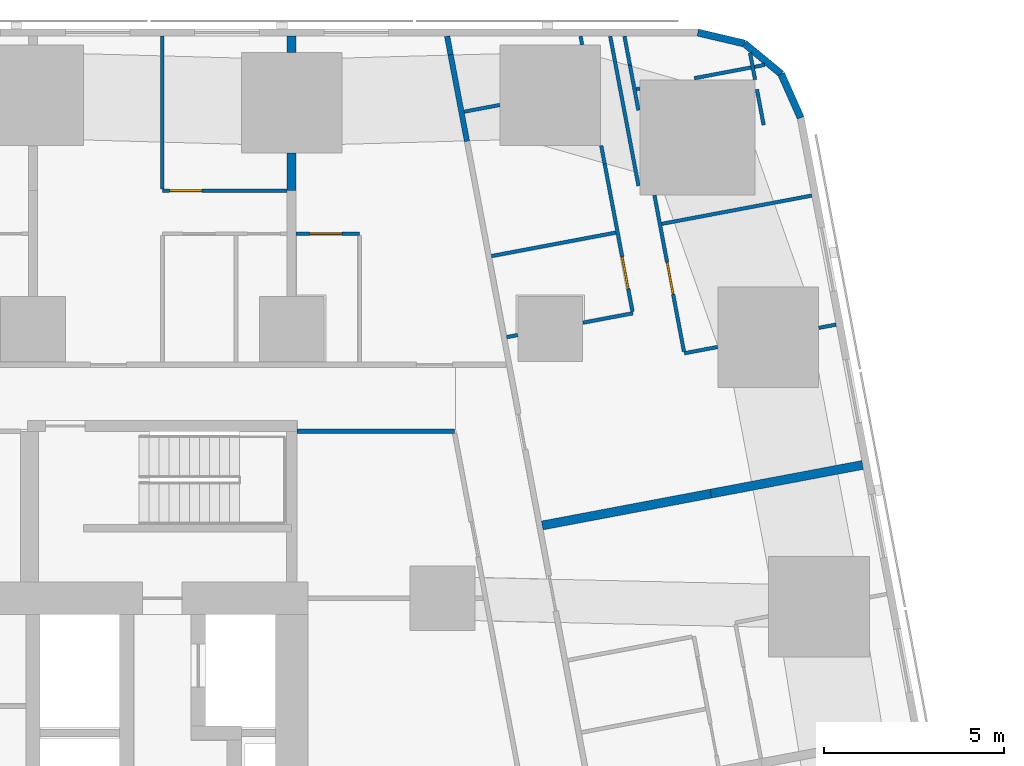
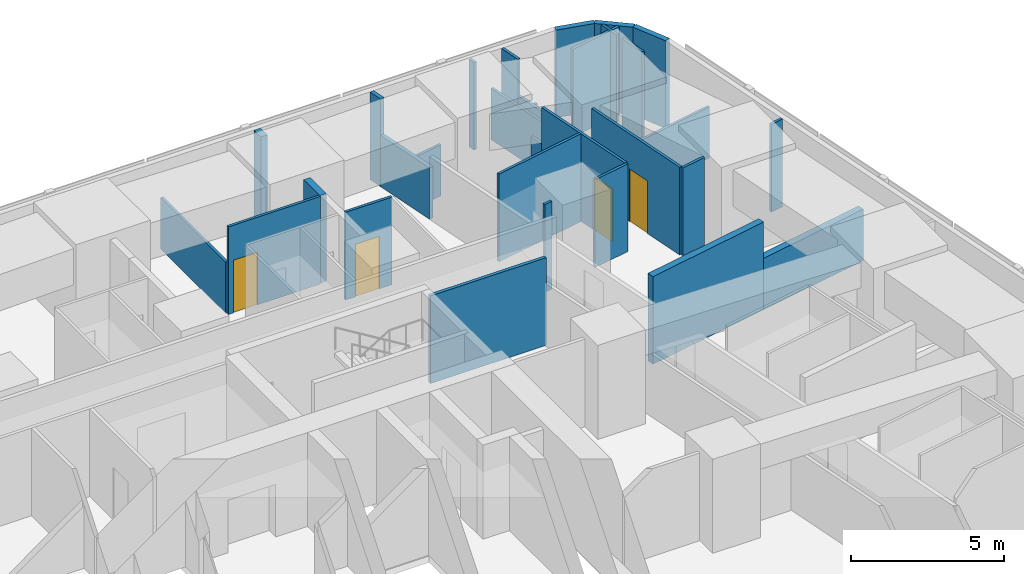
# One storey, part 10 of 15: 31 walls, 4 doors, 4 openings.
"""IFC4 building model written with IfcOpenShell, lengths in metres."""

from ifc_helpers import new_model, si_unit, direction, frame, frame_2d, origin, place, context, subcontext, project, spatial, rectangle, extrude, material, layer, layer_set, type_object, element, fill, save


model = new_model("IFC4")

# Units and contexts
model_context = context("Model", 3, precision=1e-05, world=origin(), true_north=direction((0.0, 1.0)))
body_context = subcontext(model_context, "Body", "Model", "MODEL_VIEW")
ifc_project = project(units=[si_unit("LENGTHUNIT", "METRE"), si_unit("AREAUNIT", "SQUARE_METRE"), si_unit("VOLUMEUNIT", "CUBIC_METRE"), si_unit("PLANEANGLEUNIT", "RADIAN"), si_unit("MASSUNIT", "GRAM", prefix="KILO")], contexts=[model_context])

# Site, building, storey
site_placement = place(None, origin())
site = spatial("IfcSite", under=ifc_project, at=site_placement, CompositionType="ELEMENT")
building_placement = place(site_placement, origin())
building = spatial("IfcBuilding", under=site, at=building_placement, Name="Sheger Commons Tower", CompositionType="ELEMENT")
storey_placement = place(building_placement, frame((0.0, 0.0, 42.5)))
storey = spatial("IfcBuildingStorey", under=building, at=storey_placement, Name="L10", CompositionType="ELEMENT", Elevation=42.5)

# Walls
ifc_material_1 = material(Name="Hollow concrete block masonry, skimmed both sides", Category="masonry")
ifc_layer_1 = layer(ifc_material_1, 0.14990234375)
ifc_layer_set_1 = layer_set([ifc_layer_1], Name="CORRIDOR WALL 150")
wall_type_1 = type_object("IfcWallType", Name="CORRIDOR WALL 150", PredefinedType="SOLIDWALL", material=ifc_layer_set_1)
wall_1_placement = place(storey_placement, frame((33.126953125, 45.64990234375, 0.0), z_axis=(0.0, 0.0, 1.0), x_axis=(0.185441815104, -0.982655246366, 0.0)))
element("IfcWall", 1, at=wall_1_placement, inside=storey, type_object=wall_type_1, Name="Corridor wall L10", PredefinedType="SOLIDWALL", context=body_context, shape_type="SweptSolid", body=[
    extrude(rectangle(XDim=0.52392578125, YDim=0.14990234375, at=frame_2d((0.261962890625, 0.0))), origin(), (0.0, 0.0, 1.0), 3.5),
])
wall_2_placement = place(storey_placement, frame((33.22412109375, 45.135009765625, 0.0), z_axis=(0.0, 0.0, 1.0), x_axis=(0.185681462868, -0.982609990967, 0.0)))
element("IfcWall", 2, at=wall_2_placement, inside=storey, type_object=wall_type_1, Name="Corridor wall L10", PredefinedType="SOLIDWALL", context=body_context, shape_type="SweptSolid", body=[
    extrude(rectangle(XDim=2.454833984375, YDim=0.14990234375, at=frame_2d((1.2275390625, 0.0))), origin(), (0.0, 0.0, 1.0), 2.050048828125),
])
ifc_material_2 = material(Name="Dense concrete block masonry, plastered both sides (separating wall between flats)", Category="masonry")
ifc_layer_2 = layer(ifc_material_2, 0.25)
ifc_layer_set_2 = layer_set([ifc_layer_2], Name="DEMISING WALL 250")
wall_type_2 = type_object("IfcWallType", Name="DEMISING WALL 250", PredefinedType="SOLIDWALL", material=ifc_layer_set_2)
wall_3_placement = place(storey_placement, frame((44.693115234375, 33.712890625, 0.0), z_axis=(0.0, 0.0, 1.0), x_axis=(-0.982633535512, -0.185556823879, 0.0)))
element("IfcWall", 3, at=wall_3_placement, inside=storey, type_object=wall_type_2, Name="Demising wall L10", PredefinedType="SOLIDWALL", context=body_context, shape_type="SweptSolid", body=[
    extrude(rectangle(XDim=4.2998046875, YDim=0.25, at=frame_2d((2.14990234375, 0.0))), origin(), (0.0, 0.0, 1.0), 2.050048828125),
])
wall_4_placement = place(storey_placement, frame((40.468017578125, 32.9150390625, 0.0), z_axis=(0.0, 0.0, 1.0), x_axis=(-0.982635807605, -0.185544791394, 0.0)))
element("IfcWall", 4, at=wall_4_placement, inside=storey, type_object=wall_type_2, Name="Demising wall L10", PredefinedType="SOLIDWALL", context=body_context, shape_type="SweptSolid", body=[
    extrude(rectangle(XDim=4.775146484375, YDim=0.25, at=frame_2d((2.3876953125, 0.0))), origin(), (0.0, 0.0, 1.0), 3.5),
])
wall_5_placement = place(storey_placement, frame((28.800048828125, 41.35009765625, 0.0), z_axis=(0.0, 0.0, 1.0), x_axis=(0.0, 1.0, 0.0)))
element("IfcWall", 5, at=wall_5_placement, inside=storey, type_object=wall_type_2, Name="Demising wall L10", PredefinedType="SOLIDWALL", context=body_context, shape_type="SweptSolid", body=[
    extrude(rectangle(XDim=1.048828125, YDim=0.25, at=frame_2d((0.5244140625, 0.0))), origin(), (0.0, 0.0, 1.0), 3.5),
])
wall_6_placement = place(storey_placement, frame((28.800048828125, 45.200927734375, 0.0), z_axis=(0.0, 0.0, 1.0), x_axis=(0.0, 1.0, 0.0)))
element("IfcWall", 6, at=wall_6_placement, inside=storey, type_object=wall_type_2, Name="Demising wall L10", PredefinedType="SOLIDWALL", context=body_context, shape_type="SweptSolid", body=[
    extrude(rectangle(XDim=0.448974609375, YDim=0.25, at=frame_2d((0.224609375, 0.0))), origin(), (0.0, 0.0, 1.0), 3.5),
])
ifc_material_3 = material(Name="Rendered concrete block masonry, dark grey", Category="masonry")
ifc_layer_3 = layer(ifc_material_3, 0.199951171875)
ifc_layer_set_3 = layer_set([ifc_layer_3], Name="FACADE WALL 200")
wall_type_3 = type_object("IfcWallType", Name="FACADE WALL 200", PredefinedType="SOLIDWALL", material=ifc_layer_set_3)
wall_7_placement = place(storey_placement, frame((42.969970703125, 43.376953125, 0.0), z_axis=(0.0, 0.0, 1.0), x_axis=(-0.406002956633, 0.913871762998, 0.0)))
element("IfcWall", 7, at=wall_7_placement, inside=storey, type_object=wall_type_3, Name="Facade wall L10", PredefinedType="SOLIDWALL", context=body_context, shape_type="SweptSolid", body=[
    extrude(rectangle(XDim=1.33740234375, YDim=0.199951171875, at=frame_2d((0.668701171875, 0.0))), origin(), (0.0, 0.0, 1.0), 3.5),
])
wall_8_placement = place(storey_placement, frame((42.427001953125, 44.59912109375, 0.0), z_axis=(0.0, 0.0, 1.0), x_axis=(-0.770091412544, 0.637933551655, 0.0)))
element("IfcWall", 8, at=wall_8_placement, inside=storey, type_object=wall_type_3, Name="Facade wall L10", PredefinedType="SOLIDWALL", context=body_context, shape_type="SweptSolid", body=[
    extrude(rectangle(XDim=1.324462890625, YDim=0.199951171875, at=frame_2d((0.662109375, 0.0))), origin(), (0.0, 0.0, 1.0), 3.5),
])
wall_9_placement = place(storey_placement, frame((41.406982421875, 45.444091796875, 0.0), z_axis=(0.0, 0.0, 1.0), x_axis=(-0.973453091607, 0.228886606077, 0.0)))
element("IfcWall", 9, at=wall_9_placement, inside=storey, type_object=wall_type_3, Name="Facade wall L10", PredefinedType="SOLIDWALL", context=body_context, shape_type="SweptSolid", body=[
    extrude(rectangle(XDim=1.33642578125, YDim=0.199951171875, at=frame_2d((0.668212890625, 0.0))), origin(), (0.0, 0.0, 1.0), 3.5),
])
ifc_material_4 = material(Name="Gypsum board on steel studs", Category="steel")
ifc_layer_4 = layer(ifc_material_4, 0.10009765625)
ifc_layer_set_4 = layer_set([ifc_layer_4], Name="PARTITION 100")
wall_type_4 = type_object("IfcWallType", Name="PARTITION 100", PredefinedType="PARTITIONING", material=ifc_layer_set_4)
wall_10_placement = place(storey_placement, frame((38.4541015625, 41.48291015625, 0.0), z_axis=(0.0, 0.0, 1.0), x_axis=(-0.185609245326, 0.982623634994, 0.0)))
element("IfcWall", 10, at=wall_10_placement, inside=storey, type_object=wall_type_4, Name="Partition L10", PredefinedType="PARTITIONING", context=body_context, shape_type="SweptSolid", body=[
    extrude(rectangle(XDim=4.24072265625, YDim=0.10009765625, at=frame_2d((2.120361328125, 0.0))), origin(), (0.0, 0.0, 1.0), 2.050048828125),
])
wall_11_placement = place(storey_placement, frame((41.55908203125, 45.18798828125, 0.0), z_axis=(0.0, 0.0, 1.0), x_axis=(0.185063078849, -0.98272664401, 0.0)))
element("IfcWall", 11, at=wall_11_placement, inside=storey, type_object=wall_type_4, Name="Partition L10", PredefinedType="PARTITIONING", context=body_context, shape_type="SweptSolid", body=[
    extrude(rectangle(XDim=0.76123046875, YDim=0.10009765625, at=frame_2d((0.380615234375, 0.0))), origin(), (0.0, 0.0, 1.0), 3.5),
])
wall_12_placement = place(storey_placement, frame((41.7509765625, 44.169921875, 0.0), z_axis=(0.0, 0.0, 1.0), x_axis=(0.186024046654, -0.98254519187, 0.0)))
element("IfcWall", 12, at=wall_12_placement, inside=storey, type_object=wall_type_4, Name="Partition L10", PredefinedType="PARTITIONING", context=body_context, shape_type="SweptSolid", body=[
    extrude(rectangle(XDim=1.010498046875, YDim=0.10009765625, at=frame_2d((0.50537109375, 0.0))), origin(), (0.0, 0.0, 1.0), 3.5),
])
wall_13_placement = place(storey_placement, frame((38.06298828125, 45.64990234375, 0.0), z_axis=(0.0, 0.0, 1.0), x_axis=(0.186109918919, -0.982528929895, 0.0)))
element("IfcWall", 13, at=wall_13_placement, inside=storey, type_object=wall_type_4, Name="Partition L10", PredefinedType="PARTITIONING", context=body_context, shape_type="SweptSolid", body=[
    extrude(rectangle(XDim=0.817138671875, YDim=0.10009765625, at=frame_2d((0.40869140625, 0.0))), origin(), (0.0, 0.0, 1.0), 3.5),
])
wall_14_placement = place(storey_placement, frame((38.215087890625, 44.846923828125, 0.0), z_axis=(0.0, 0.0, 1.0), x_axis=(0.185310800156, -0.982679961811, 0.0)))
element("IfcWall", 14, at=wall_14_placement, inside=storey, type_object=wall_type_4, Name="Partition L10", PredefinedType="PARTITIONING", context=body_context, shape_type="SweptSolid", body=[
    extrude(rectangle(XDim=1.283203125, YDim=0.10009765625, at=frame_2d((0.6416015625, 0.0))), origin(), (0.0, 0.0, 1.0), 2.050048828125),
])

# Wall, opening, door
wall_15_placement = place(storey_placement, frame((38.89892578125, 41.219970703125, 0.0), z_axis=(0.0, 0.0, 1.0), x_axis=(0.185517409072, -0.982640977637, 0.0)))
wall_15 = element("IfcWall", 15, at=wall_15_placement, inside=storey, type_object=wall_type_4, Name="Partition L10", PredefinedType="PARTITIONING", context=body_context, shape_type="SweptSolid", body=[
    extrude(rectangle(XDim=4.42578125, YDim=0.10009765625, at=frame_2d((2.212890625, 0.0))), origin(), (0.0, 0.0, 1.0), 3.5),
])
opening_1_placement = place(wall_15_placement, frame((1.89990234375, 0.0, 0.0)))
opening_1 = element("IfcOpeningElement", 16, at=opening_1_placement, cuts=wall_15, Name="Opening D2", PredefinedType="OPENING", context=body_context, shape_type="SweptSolid", body=[
    extrude(rectangle(XDim=0.89990234375, YDim=2.10009765625, at=frame_2d((0.449951171875, 1.050048828125))), frame((0.0, 0.06005859375, 0.0), z_axis=(0.0, -1.0, 0.0), x_axis=(1.0, 0.0, 0.0)), (0.0, 0.0, 1.0), 0.1201171875),
])
ifc_material_5 = material(Name="Timber door set", Category="wood")
door_type = type_object("IfcDoorType", Name="INTERNAL DOOR 900x2100", OperationType="NOTDEFINED", PredefinedType="DOOR", material=ifc_material_5)
door_1_placement = place(opening_1_placement, origin())
door_1 = element("IfcDoor", 17, at=door_1_placement, inside=storey, type_object=door_type, Name="Main bedroom door", OperationType="SINGLE_SWING_LEFT", OverallHeight=2.10009765625, OverallWidth=0.89990234375, PredefinedType="DOOR", context=body_context, shape_type="SweptSolid", body=[
    extrude(rectangle(XDim=0.89990234375, YDim=2.10009765625, at=frame_2d((0.449951171875, 1.050048828125))), frame((0.0, 0.02490234375, 0.0), z_axis=(0.0, -1.0, 0.0), x_axis=(1.0, 0.0, 0.0)), (0.0, 0.0, 1.0), 0.050048828125),
])
fill(opening_1, door_1)

# Walls
wall_16_placement = place(storey_placement, frame((36.841064453125, 45.64990234375, 0.0), z_axis=(0.0, 0.0, 1.0), x_axis=(0.183986661451, -0.982928740249, 0.0)))
element("IfcWall", 18, at=wall_16_placement, inside=storey, type_object=wall_type_4, Name="Partition L10", PredefinedType="PARTITIONING", context=body_context, shape_type="SweptSolid", body=[
    extrude(rectangle(XDim=0.244140625, YDim=0.10009765625, at=frame_2d((0.1220703125, 0.0))), origin(), (0.0, 0.0, 1.0), 3.5),
])
wall_17_placement = place(storey_placement, frame((37.4169921875, 42.60205078125, 0.0), z_axis=(0.0, 0.0, 1.0), x_axis=(0.185672001976, -0.982611778721, 0.0)))
element("IfcWall", 19, at=wall_17_placement, inside=storey, type_object=wall_type_4, Name="Partition L10", PredefinedType="PARTITIONING", context=body_context, shape_type="SweptSolid", body=[
    extrude(rectangle(XDim=0.52197265625, YDim=0.10009765625, at=frame_2d((0.260986328125, 0.0))), origin(), (0.0, 0.0, 1.0), 2.050048828125),
])

# Wall, opening, door
wall_18_placement = place(storey_placement, frame((37.513916015625, 42.089111328125, 0.0), z_axis=(0.0, 0.0, 1.0), x_axis=(0.185540945282, -0.982636533833, 0.0)))
wall_18 = element("IfcWall", 20, at=wall_18_placement, inside=storey, type_object=wall_type_4, Name="Partition L10", PredefinedType="PARTITIONING", context=body_context, shape_type="SweptSolid", body=[
    extrude(rectangle(XDim=4.177734375, YDim=0.10009765625, at=frame_2d((2.0888671875, 0.0))), origin(), (0.0, 0.0, 1.0), 3.5),
])
opening_2_placement = place(wall_18_placement, frame((2.6298828125, 0.0, 0.0)))
opening_2 = element("IfcOpeningElement", 21, at=opening_2_placement, cuts=wall_18, Name="Opening D2", PredefinedType="OPENING", context=body_context, shape_type="SweptSolid", body=[
    extrude(rectangle(XDim=0.89990234375, YDim=2.10009765625, at=frame_2d((0.449951171875, 1.050048828125))), frame((0.0, 0.06005859375, 0.0), z_axis=(0.0, -1.0, 0.0), x_axis=(1.0, 0.0, 0.0)), (0.0, 0.0, 1.0), 0.1201171875),
])
door_2_placement = place(opening_2_placement, origin())
door_2 = element("IfcDoor", 22, at=door_2_placement, inside=storey, type_object=door_type, Name="Bathroom door", OperationType="SINGLE_SWING_LEFT", OverallHeight=2.10009765625, OverallWidth=0.89990234375, PredefinedType="DOOR", context=body_context, shape_type="SweptSolid", body=[
    extrude(rectangle(XDim=0.89990234375, YDim=2.10009765625, at=frame_2d((0.449951171875, 1.050048828125))), frame((0.0, 0.02490234375, 0.0), z_axis=(0.0, -1.0, 0.0), x_axis=(1.0, 0.0, 0.0)), (0.0, 0.0, 1.0), 0.050048828125),
])
fill(opening_2, door_2)

# Walls
wall_19_placement = place(storey_placement, frame((41.968017578125, 44.85009765625, 0.0), z_axis=(0.0, 0.0, 1.0), x_axis=(-0.982543651732, -0.186032181195, 0.0)))
element("IfcWall", 23, at=wall_19_placement, inside=storey, type_object=wall_type_4, Name="Partition L10", PredefinedType="PARTITIONING", context=body_context, shape_type="SweptSolid", body=[
    extrude(rectangle(XDim=1.994873046875, YDim=0.10009765625, at=frame_2d((0.99755859375, 0.0))), origin(), (0.0, 0.0, 1.0), 3.5),
])
wall_20_placement = place(storey_placement, frame((38.491943359375, 44.193115234375, 0.0), z_axis=(0.0, 0.0, 1.0), x_axis=(-0.981954528773, -0.189117168504, 0.0)))
element("IfcWall", 24, at=wall_20_placement, inside=storey, type_object=wall_type_4, Name="Partition L10", PredefinedType="PARTITIONING", context=body_context, shape_type="SweptSolid", body=[
    extrude(rectangle(XDim=0.1005859375, YDim=0.10009765625, at=frame_2d((0.05029296875, 0.0))), origin(), (0.0, 0.0, 1.0), 2.050048828125),
])
wall_21_placement = place(storey_placement, frame((43.277099609375, 41.2119140625, 0.0), z_axis=(0.0, 0.0, 1.0), x_axis=(-0.982665405803, -0.185387972203, 0.0)))
element("IfcWall", 25, at=wall_21_placement, inside=storey, type_object=wall_type_4, Name="Partition L10", PredefinedType="PARTITIONING", context=body_context, shape_type="SweptSolid", body=[
    extrude(rectangle(XDim=4.249755859375, YDim=0.10009765625, at=frame_2d((2.125, 0.0))), origin(), (0.0, 0.0, 1.0), 2.050048828125),
])
wall_22_placement = place(storey_placement, frame((43.955078125, 37.6201171875, 0.0), z_axis=(0.0, 0.0, 1.0), x_axis=(-0.982543152073, -0.186034820164, 0.0)))
element("IfcWall", 26, at=wall_22_placement, inside=storey, type_object=wall_type_4, Name="Partition L10", PredefinedType="PARTITIONING", context=body_context, shape_type="SweptSolid", body=[
    extrude(rectangle(XDim=0.489501953125, YDim=0.10009765625, at=frame_2d((0.24462890625, 0.0))), origin(), (0.0, 0.0, 1.0), 3.5),
])
wall_23_placement = place(storey_placement, frame((40.654052734375, 36.99609375, 0.0), z_axis=(0.0, 0.0, 1.0), x_axis=(-0.982716055164, -0.185119299163, 0.0)))
element("IfcWall", 27, at=wall_23_placement, inside=storey, type_object=wall_type_4, Name="Partition L10", PredefinedType="PARTITIONING", context=body_context, shape_type="SweptSolid", body=[
    extrude(rectangle(XDim=0.9404296875, YDim=0.10009765625, at=frame_2d((0.47021484375, 0.0))), origin(), (0.0, 0.0, 1.0), 3.5),
])
wall_24_placement = place(storey_placement, frame((34.590087890625, 43.73388671875, 0.0), z_axis=(0.0, 0.0, 1.0), x_axis=(-0.982632457012, -0.185562535081, 0.0)))
element("IfcWall", 28, at=wall_24_placement, inside=storey, type_object=wall_type_4, Name="Partition L10", PredefinedType="PARTITIONING", context=body_context, shape_type="SweptSolid", body=[
    extrude(rectangle(XDim=1.006591796875, YDim=0.10009765625, at=frame_2d((0.50341796875, 0.0))), origin(), (0.0, 0.0, 1.0), 2.050048828125),
])
wall_25_placement = place(storey_placement, frame((37.822998046875, 40.181884765625, 0.0), z_axis=(0.0, 0.0, 1.0), x_axis=(-0.98263926043, -0.185526504472, 0.0)))
element("IfcWall", 29, at=wall_25_placement, inside=storey, type_object=wall_type_4, Name="Partition L10", PredefinedType="PARTITIONING", context=body_context, shape_type="SweptSolid", body=[
    extrude(rectangle(XDim=3.524169921875, YDim=0.10009765625, at=frame_2d((1.76220703125, 0.0))), origin(), (0.0, 0.0, 1.0), 3.5),
])
wall_26_placement = place(storey_placement, frame((38.299072265625, 37.93505859375, 0.0), z_axis=(0.0, 0.0, 1.0), x_axis=(-0.982680053146, -0.185310315822, 0.0)))
element("IfcWall", 30, at=wall_26_placement, inside=storey, type_object=wall_type_4, Name="Partition L10", PredefinedType="PARTITIONING", context=body_context, shape_type="SweptSolid", body=[
    extrude(rectangle(XDim=1.41357421875, YDim=0.10009765625, at=frame_2d((0.706787109375, 0.0))), origin(), (0.0, 0.0, 1.0), 3.5),
])
wall_27_placement = place(storey_placement, frame((35.090087890625, 37.327880859375, 0.0), z_axis=(0.0, 0.0, 1.0), x_axis=(-0.982961380226, -0.183812200315, 0.0)))
element("IfcWall", 31, at=wall_27_placement, inside=storey, type_object=wall_type_4, Name="Partition L10", PredefinedType="PARTITIONING", context=body_context, shape_type="SweptSolid", body=[
    extrude(rectangle(XDim=0.3095703125, YDim=0.10009765625, at=frame_2d((0.15478515625, 0.0))), origin(), (0.0, 0.0, 1.0), 3.5),
])

# Wall, opening, door
wall_28_placement = place(storey_placement, frame((25.199951171875, 41.35009765625, 0.0), z_axis=(0.0, 0.0, 1.0), x_axis=(1.0, 0.0, 0.0)))
wall_28 = element("IfcWall", 32, at=wall_28_placement, inside=storey, type_object=wall_type_4, Name="Partition L10", PredefinedType="PARTITIONING", context=body_context, shape_type="SweptSolid", body=[
    extrude(rectangle(XDim=3.47509765625, YDim=0.10009765625, at=frame_2d((1.737548828125, 0.0))), origin(), (0.0, 0.0, 1.0), 3.5),
])
opening_3_placement = place(wall_28_placement, frame((0.199951171875, 0.0, 0.0)))
opening_3 = element("IfcOpeningElement", 33, at=opening_3_placement, cuts=wall_28, Name="Opening D2", PredefinedType="OPENING", context=body_context, shape_type="SweptSolid", body=[
    extrude(rectangle(XDim=0.89990234375, YDim=2.10009765625, at=frame_2d((0.449951171875, 1.050048828125))), frame((0.0, 0.06005859375, 0.0), z_axis=(0.0, -1.0, 0.0), x_axis=(1.0, 0.0, 0.0)), (0.0, 0.0, 1.0), 0.1201171875),
])
door_3_placement = place(opening_3_placement, origin())
door_3 = element("IfcDoor", 34, at=door_3_placement, inside=storey, type_object=door_type, Name="Main bedroom door", OperationType="SINGLE_SWING_LEFT", OverallHeight=2.10009765625, OverallWidth=0.89990234375, PredefinedType="DOOR", context=body_context, shape_type="SweptSolid", body=[
    extrude(rectangle(XDim=0.89990234375, YDim=2.10009765625, at=frame_2d((0.449951171875, 1.050048828125))), frame((0.0, 0.02490234375, 0.0), z_axis=(0.0, -1.0, 0.0), x_axis=(1.0, 0.0, 0.0)), (0.0, 0.0, 1.0), 0.050048828125),
])
fill(opening_3, door_3)

# Wall
wall_29_placement = place(storey_placement, frame((25.199951171875, 41.39990234375, 0.0), z_axis=(0.0, 0.0, 1.0), x_axis=(0.0, 1.0, 0.0)))
element("IfcWall", 35, at=wall_29_placement, inside=storey, type_object=wall_type_4, Name="Partition L10", PredefinedType="PARTITIONING", context=body_context, shape_type="SweptSolid", body=[
    extrude(rectangle(XDim=4.25, YDim=0.10009765625, at=frame_2d((2.125, 0.0))), origin(), (0.0, 0.0, 1.0), 2.050048828125),
])

# Wall, opening, door
wall_30_placement = place(storey_placement, frame((28.925048828125, 40.14990234375, 0.0), z_axis=(0.0, 0.0, 1.0), x_axis=(1.0, 0.0, 0.0)))
wall_30 = element("IfcWall", 36, at=wall_30_placement, inside=storey, type_object=wall_type_4, Name="Partition L10", PredefinedType="PARTITIONING", context=body_context, shape_type="SweptSolid", body=[
    extrude(rectangle(XDim=1.764892578125, YDim=0.10009765625, at=frame_2d((0.88232421875, 0.0))), origin(), (0.0, 0.0, 1.0), 3.5),
])
opening_4_placement = place(wall_30_placement, frame((0.375, 0.0, 0.0)))
opening_4 = element("IfcOpeningElement", 37, at=opening_4_placement, cuts=wall_30, Name="Opening D2", PredefinedType="OPENING", context=body_context, shape_type="SweptSolid", body=[
    extrude(rectangle(XDim=0.89990234375, YDim=2.10009765625, at=frame_2d((0.449951171875, 1.050048828125))), frame((0.0, 0.06005859375, 0.0), z_axis=(0.0, -1.0, 0.0), x_axis=(1.0, 0.0, 0.0)), (0.0, 0.0, 1.0), 0.1201171875),
])
door_4_placement = place(opening_4_placement, origin())
door_4 = element("IfcDoor", 38, at=door_4_placement, inside=storey, type_object=door_type, Name="Shower room door", OperationType="SINGLE_SWING_RIGHT", OverallHeight=2.10009765625, OverallWidth=0.89990234375, PredefinedType="DOOR", context=body_context, shape_type="SweptSolid", body=[
    extrude(rectangle(XDim=0.89990234375, YDim=2.10009765625, at=frame_2d((0.449951171875, 1.050048828125))), frame((0.0, 0.02490234375, 0.0), z_axis=(0.0, -1.0, 0.0), x_axis=(1.0, 0.0, 0.0)), (0.0, 0.0, 1.0), 0.050048828125),
])
fill(opening_4, door_4)

# Wall
ifc_material_6 = material(Name="Gypsum board on steel studs, two layers each side, fire rated", Category="steel")
ifc_layer_5 = layer(ifc_material_6, 0.125)
ifc_layer_set_5 = layer_set([ifc_layer_5], Name="SERVICE WALL 125")
wall_type_5 = type_object("IfcWallType", Name="SERVICE WALL 125", PredefinedType="PARTITIONING", material=ifc_layer_set_5)
wall_31_placement = place(storey_placement, frame((28.949951171875, 34.64990234375, 0.0), z_axis=(0.0, 0.0, 1.0), x_axis=(1.0, 0.0, 0.0)))
element("IfcWall", 39, at=wall_31_placement, inside=storey, type_object=wall_type_5, Name="Service room wall L10", PredefinedType="PARTITIONING", context=body_context, shape_type="SweptSolid", body=[
    extrude(rectangle(XDim=4.381103515625, YDim=0.125, at=frame_2d((2.1904296875, 0.0))), origin(), (0.0, 0.0, 1.0), 3.5),
])

save(model, "model.ifc")
